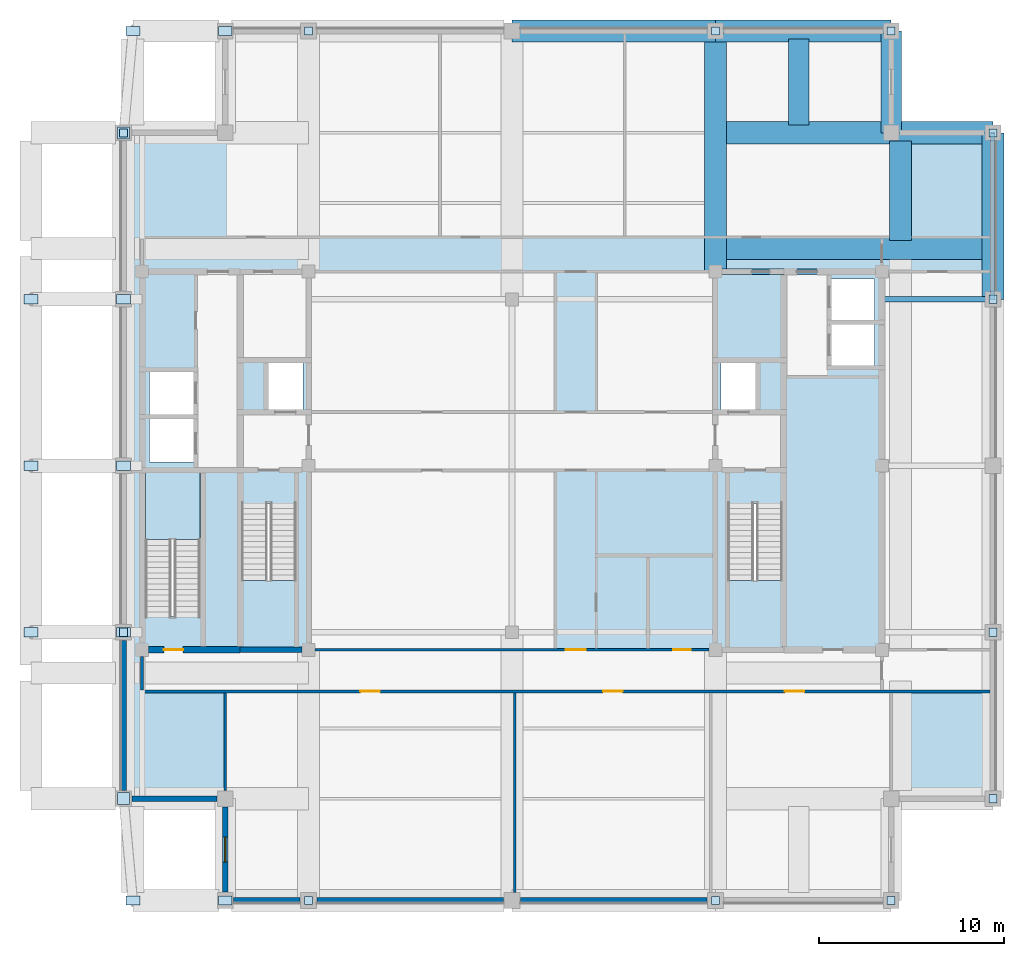
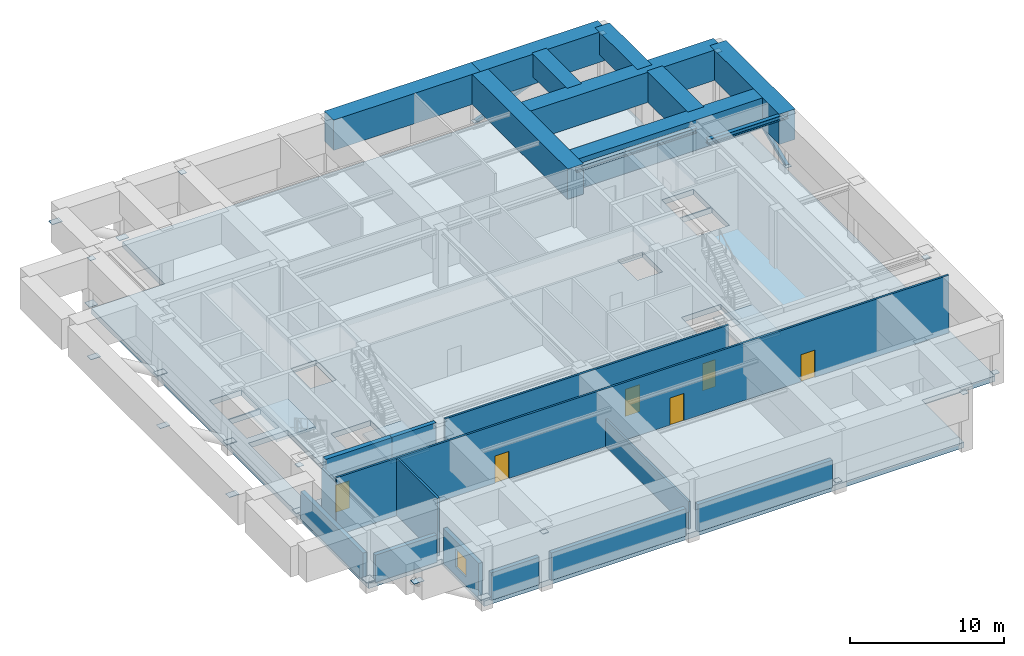
# One storey, part 2 of 11: 24 plates, 13 walls, 11 beams, 6 doors, 4 slabs, 2 members, 1 window, 7 openings, 3 elements without a shape of their own.
"""IFC4 building model written with IfcOpenShell, lengths in metres."""

from ifc_helpers import new_model, si_unit, direction, frame, frame_2d, origin, origin_2d, place, context, subcontext, project, spatial, polyline, rectangle, hollow_rectangle, i_section, outline, extrude, material, layer, layer_set, material_profile, profile_set, type_object, element, fill, aggregate, save


model = new_model("IFC4")

# Units and contexts
model_context = context("Model", 3, precision=1e-05, world=origin(), true_north=direction((0.0, 1.0)))
body_context = subcontext(model_context, "Body", "Model", "MODEL_VIEW")
ifc_project = project(units=[si_unit("LENGTHUNIT", "METRE"), si_unit("AREAUNIT", "SQUARE_METRE"), si_unit("VOLUMEUNIT", "CUBIC_METRE"), si_unit("PLANEANGLEUNIT", "RADIAN"), si_unit("MASSUNIT", "GRAM", prefix="KILO")], contexts=[model_context])

# Site, building, storey
site_placement = place(None, origin())
site = spatial("IfcSite", under=ifc_project, at=site_placement, CompositionType="ELEMENT")
building_placement = place(site_placement, origin())
building = spatial("IfcBuilding", under=site, at=building_placement, Name="Zulmaris Gate Convention Tower", CompositionType="ELEMENT")
storey_placement = place(building_placement, frame((0.0, 0.0, 249.429931640625)))
storey = spatial("IfcBuildingStorey", under=building, at=storey_placement, Name="L66", CompositionType="ELEMENT", Elevation=249.429931640625)

# Beams
ifc_material_1 = material(Name="Steel S355", Category="steel")
ifc_material_profile_1 = material_profile(ifc_material_1, i_section(OverallWidth=0.300048828125, OverallDepth=0.39990234375, WebThickness=0.013427734375, FlangeThickness=0.02392578125, FilletRadius=0.027099609375, at=origin_2d()), Name="HEB 400")
ifc_profile_set_1 = profile_set([ifc_material_profile_1], Name="Steel S355")
beam_type_1 = type_object("IfcBeamType", Name="BM-HEB400", PredefinedType="BEAM", material=ifc_profile_set_1)
beam_1_placement = place(storey_placement, frame((20.0, 9.0, 4.337890625), z_axis=(1.0, 0.0, 0.0), x_axis=(0.0, 1.0, 0.0)))
element("IfcBeam", 1, at=beam_1_placement, inside=storey, type_object=beam_type_1, Name="L66 Beam BM-L66-G21", PredefinedType="BEAM", context=body_context, shape_type="SweptSolid", body=[
    extrude(i_section(OverallWidth=0.300048828125, OverallDepth=0.39990234375, WebThickness=0.013427734375, FlangeThickness=0.02392578125, FilletRadius=0.027099609375, at=origin_2d()), origin(), (0.0, 0.0, 1.0), 6.0),
])
beam_2_placement = place(storey_placement, frame((11.0, 10.5, 4.373046875), z_axis=(1.0, 0.0, 0.0), x_axis=(0.0, 1.0, 0.0)))
element("IfcBeam", 2, at=beam_2_placement, inside=storey, type_object=beam_type_1, Name="L66 Beam BM-L66-G25", PredefinedType="BEAM", context=body_context, shape_type="SweptSolid", body=[
    extrude(i_section(OverallWidth=0.300048828125, OverallDepth=0.39990234375, WebThickness=0.013427734375, FlangeThickness=0.02392578125, FilletRadius=0.027099609375, at=origin_2d()), origin(), (0.0, 0.0, 1.0), 9.0),
])
ifc_material_2 = material(Name="Concrete C80/95", Category="concrete")
ifc_material_profile_2 = material_profile(ifc_material_2, rectangle(XDim=1.10009765625, YDim=1.800048828125, at=origin_2d()), Name="RC TRANSFER 1100x1800")
ifc_profile_set_2 = profile_set([ifc_material_profile_2], Name="Concrete C80/95")
beam_type_2 = type_object("IfcBeamType", Name="BM-XFER1800", PredefinedType="BEAM", material=ifc_profile_set_2)
beam_3_placement = place(storey_placement, frame((20.5, 18.0, 3.675048828125), z_axis=(0.0, 1.0, 0.0), x_axis=(-1.0, 0.0, 0.0)))
element("IfcBeam", 3, at=beam_3_placement, inside=storey, type_object=beam_type_2, Name="L66 Beam XFCOLV-L66-CXEN", PredefinedType="BEAM", context=body_context, shape_type="SweptSolid", body=[
    extrude(rectangle(XDim=1.10009765625, YDim=1.800048828125, at=origin_2d()), origin(), (0.0, 0.0, 1.0), 5.5),
])
beam_4_placement = place(storey_placement, frame((15.5, 18.43505859375, 3.675048828125), z_axis=(0.0, 1.0, 0.0), x_axis=(-1.0, 0.0, 0.0)))
element("IfcBeam", 4, at=beam_4_placement, inside=storey, type_object=beam_type_2, Name="L66 Beam XFNCH-L66-EC-+18.0", PredefinedType="BEAM", context=body_context, shape_type="SweptSolid", body=[
    extrude(rectangle(XDim=1.10009765625, YDim=1.800048828125, at=origin_2d()), origin(), (0.0, 0.0, 1.0), 4.6298828125),
])
ifc_material_profile_3 = material_profile(ifc_material_2, rectangle(XDim=1.199951171875, YDim=2.39990234375, at=origin_2d()), Name="RC TRANSFER 1200x2400")
ifc_profile_set_3 = profile_set([ifc_material_profile_3], Name="Concrete C80/95")
beam_type_3 = type_object("IfcBeamType", Name="BM-XFER2400", PredefinedType="BEAM", material=ifc_profile_set_3)
beam_5_placement = place(storey_placement, frame((26.0, 9.0, 3.375), z_axis=(0.0, 1.0, 0.0), x_axis=(-1.0, 0.0, 0.0)))
element("IfcBeam", 5, at=beam_5_placement, inside=storey, type_object=beam_type_3, Name="L66 Beam XFCOLV-L66-XEN", PredefinedType="BEAM", context=body_context, shape_type="SweptSolid", body=[
    extrude(rectangle(XDim=1.199951171875, YDim=2.39990234375, at=origin_2d()), origin(), (0.0, 0.0, 1.0), 9.0),
])
beam_6_placement = place(storey_placement, frame((11.0, 10.5, 3.375), z_axis=(0.0, 1.0, 0.0), x_axis=(-1.0, 0.0, 0.0)))
element("IfcBeam", 6, at=beam_6_placement, inside=storey, type_object=beam_type_3, Name="L66 Beam XFCOLV-L66-C11EN", PredefinedType="BEAM", context=body_context, shape_type="SweptSolid", body=[
    extrude(rectangle(XDim=1.199951171875, YDim=2.39990234375, at=origin_2d()), origin(), (0.0, 0.0, 1.0), 13.0),
])
for number, where, z_axis, x_axis, name in (
    (7, (11.0, 11.75, 3.375), (1.0, 0.0, 0.0), (0.0, 1.0, 0.0), "L66 Beam XFREC-L66-E-+11.75"),
    (8, (11.0, 18.0, 3.375), (1.0, 0.0, 0.0), (0.0, 1.0, 0.0), "L66 Beam XFREC-L66-E-+18.00"),
):
    element("IfcBeam", number, at=place(storey_placement, frame(where, z_axis=z_axis, x_axis=x_axis)), inside=storey, type_object=beam_type_3, Name=name, PredefinedType="BEAM", context=body_context, shape_type="SweptSolid", body=[
        extrude(rectangle(XDim=1.199951171875, YDim=2.39990234375, at=origin_2d()), origin(), (0.0, 0.0, 1.0), 15.0),
    ])
beam_7_placement = place(storey_placement, frame((21.0, 12.18505859375, 3.375), z_axis=(0.0, 1.0, 0.0), x_axis=(-1.0, 0.0, 0.0)))
element("IfcBeam", 9, at=beam_7_placement, inside=storey, type_object=beam_type_3, Name="L66 Beam XFEDG-L66-EN", PredefinedType="BEAM", context=body_context, shape_type="SweptSolid", body=[
    extrude(rectangle(XDim=1.199951171875, YDim=2.39990234375, at=origin_2d()), origin(), (0.0, 0.0, 1.0), 5.3798828125),
])
beam_8_placement = place(storey_placement, frame((11.0, 23.5, 3.375), z_axis=(1.0, 0.0, 0.0), x_axis=(0.0, 1.0, 0.0)))
element("IfcBeam", 10, at=beam_8_placement, inside=storey, type_object=beam_type_3, Name="L66 Beam XFREC-L66-EC-+23.5", PredefinedType="BEAM", context=body_context, shape_type="SweptSolid", body=[
    extrude(rectangle(XDim=1.199951171875, YDim=2.39990234375, at=origin_2d()), origin(), (0.0, 0.0, 1.0), 9.5),
])
beam_9_placement = place(storey_placement, frame((0.0, 23.5, 3.375), z_axis=(1.0, 0.0, 0.0), x_axis=(0.0, 1.0, 0.0)))
element("IfcBeam", 11, at=beam_9_placement, inside=storey, type_object=beam_type_3, Name="L66 Beam XFREC-L66-M2-+23.5", PredefinedType="BEAM", context=body_context, shape_type="SweptSolid", body=[
    extrude(rectangle(XDim=1.199951171875, YDim=2.39990234375, at=origin_2d()), origin(), (0.0, 0.0, 1.0), 11.0),
])

# Members
ifc_material_profile_4 = material_profile(ifc_material_1, hollow_rectangle(XDim=0.25, YDim=0.25, WallThickness=0.012451171875, at=origin_2d()), Name="SHS 250x250x12.5")
ifc_profile_set_4 = profile_set([ifc_material_profile_4], Name="Steel S355")
member_type = type_object("IfcMemberType", Name="BR-SHS250", PredefinedType="BRACE", material=ifc_profile_set_4)
member_1_placement = place(storey_placement, frame((26.0, 9.0, 0.300048828125), z_axis=(0.0, 0.926510390677, 0.376269180198), x_axis=(-1.0, 0.0, 0.0)))
element("IfcMember", 12, at=member_1_placement, inside=storey, type_object=member_type, Name="L66 Perimeter Tube Diagonal NE-E", PredefinedType="BRACE", context=body_context, shape_type="SweptSolid", body=[
    extrude(hollow_rectangle(XDim=0.25, YDim=0.25, WallThickness=0.012451171875, at=origin_2d()), origin(), (0.0, 0.0, 1.0), 9.7138671875),
])
member_2_placement = place(storey_placement, frame((11.0, 23.5, 0.300048828125), z_axis=(0.933306655897, 0.0, 0.359080333713), x_axis=(0.0, 1.0, 0.0)))
element("IfcMember", 13, at=member_2_placement, inside=storey, type_object=member_type, Name="L66 Perimeter Tube Diagonal NE-N", PredefinedType="BRACE", context=body_context, shape_type="SweptSolid", body=[
    extrude(hollow_rectangle(XDim=0.25, YDim=0.25, WallThickness=0.012451171875, at=origin_2d()), origin(), (0.0, 0.0, 1.0), 10.178955078125),
])

# Plates
ifc_material_3 = material(Name="Steel S460", Category="steel")
ifc_layer_1 = layer(ifc_material_3, 0.02490234375, Name="Steel S460")
ifc_layer_set_1 = layer_set([ifc_layer_1], Name="Steel S460")
plate_type_1 = type_object("IfcPlateType", Name="NP-CAP-440", PredefinedType="USERDEFINED", material=ifc_layer_set_1)
for number, where, z_axis, x_axis, name in (
    (14, (-21.0, -9.0, 3.942626953125), (0.0, 0.0, 1.0), (1.0, 0.0, 0.0), "L66 Steel Node Plate PBR-L66-SW-W-CAPB"),
    (15, (-21.0, 18.0, 3.942626953125), (0.0, 0.0, 1.0), (1.0, 0.0, 0.0), "L66 Steel Node Plate PBR-L66-NW-W-CAPB"),
    (16, (26.0, -18.0, 0.28759765625), (0.0, 0.0, 1.0), (1.0, 0.0, 0.0), "L66 Steel Node Plate PBR-L66-SE-E-CAP"),
    (17, (26.0, -9.0, 3.942626953125), (0.0, 0.0, 1.0), (1.0, 0.0, 0.0), "L66 Steel Node Plate PBR-L66-SE-E-CAPB"),
    (18, (26.0, 9.0, 0.28759765625), (0.0, 0.0, 1.0), (1.0, 0.0, 0.0), "L66 Steel Node Plate PBR-L66-NE-E-CAP"),
    (19, (26.0, 18.0, 3.942626953125), (0.0, 0.0, 1.0), (1.0, 0.0, 0.0), "L66 Steel Node Plate PBR-L66-NE-E-CAPB"),
    (20, (-11.0, -23.5, 3.942626953125), (0.0, 0.0, 1.0), (1.0, 0.0, 0.0), "L66 Steel Node Plate PBR-L66-SW-S-CAPB"),
    (21, (11.0, -23.5, 0.28759765625), (0.0, 0.0, 1.0), (1.0, 0.0, 0.0), "L66 Steel Node Plate PBR-L66-SE-S-CAP"),
    (22, (20.5, -23.5, 3.942626953125), (0.0, 0.0, 1.0), (1.0, 0.0, 0.0), "L66 Steel Node Plate PBR-L66-SE-S-CAPB"),
    (23, (-11.0, 23.5, 3.942626953125), (0.0, 0.0, 1.0), (1.0, 0.0, 0.0), "L66 Steel Node Plate PBR-L66-NW-N-CAPB"),
    (24, (11.0, 23.5, 0.28759765625), (0.0, 0.0, 1.0), (1.0, 0.0, 0.0), "L66 Steel Node Plate PBR-L66-NE-N-CAP"),
    (25, (20.5, 23.5, 3.942626953125), (0.0, 0.0, 1.0), (1.0, 0.0, 0.0), "L66 Steel Node Plate PBR-L66-NE-N-CAPB"),
):
    element("IfcPlate", number, at=place(storey_placement, frame(where, z_axis=z_axis, x_axis=x_axis)), inside=storey, type_object=plate_type_1, Name=name, ObjectType="FLANGE PLATE", PredefinedType="USERDEFINED", context=body_context, shape_type="SweptSolid", body=[
        extrude(rectangle(XDim=0.43994140625, YDim=0.43994140625, at=origin_2d()), origin(), (0.0, 0.0, 1.0), 0.02490234375),
    ])
ifc_layer_2 = layer(ifc_material_3, 0.034912109375, Name="Steel S460")
ifc_layer_set_2 = layer_set([ifc_layer_2], Name="Steel S460")
plate_type_2 = type_object("IfcPlateType", Name="NP-GUS-650", PredefinedType="USERDEFINED", material=ifc_layer_set_2)
for number, where, z_axis, x_axis, name in (
    (26, (-21.0, -18.0, 0.33251953125), (0.0, 0.0, 1.0), (1.0, 0.0, 0.0), "L66 Steel Node Plate RKR2-L66-WC--23.5-P0"),
    (27, (-21.0, 18.0, 0.33251953125), (0.0, 0.0, 1.0), (1.0, 0.0, 0.0), "L66 Steel Node Plate RKR2-L66-WC-+23.5-P0"),
):
    element("IfcPlate", number, at=place(storey_placement, frame(where, z_axis=z_axis, x_axis=x_axis)), inside=storey, type_object=plate_type_2, Name=name, ObjectType="GUSSET PLATE", PredefinedType="USERDEFINED", context=body_context, shape_type="SweptSolid", body=[
        extrude(rectangle(XDim=0.64990234375, YDim=0.64990234375, at=origin_2d()), origin(), (0.0, 0.0, 1.0), 0.034912109375),
    ])
ifc_layer_3 = layer(ifc_material_3, 0.034912109375, Name="Steel S460")
ifc_layer_set_3 = layer_set([ifc_layer_3], Name="Steel S460")
plate_type_3 = type_object("IfcPlateType", Name="NP-GUS-750", PredefinedType="USERDEFINED", material=ifc_layer_set_3)
for number, where, z_axis, x_axis, name in (
    (28, (-21.0, -9.0, 0.33251953125), (0.0, 0.0, 1.0), (1.0, 0.0, 0.0), "L66 Steel Node Plate RKR-L66-W--9.0-P0"),
    (29, (-26.0, -9.0, 3.357421875), (0.0, 0.0, 1.0), (1.0, 0.0, 0.0), "L66 Steel Node Plate RKR-L66-W--9.0-P1"),
    (30, (-21.0, 0.0, 0.33251953125), (0.0, 0.0, 1.0), (1.0, 0.0, 0.0), "L66 Steel Node Plate RKR-L66-W-+0.0-P0"),
    (31, (-26.0, 0.0, 3.357421875), (0.0, 0.0, 1.0), (1.0, 0.0, 0.0), "L66 Steel Node Plate RKR-L66-W-+0.0-P1"),
    (32, (-21.0, 9.0, 0.33251953125), (0.0, 0.0, 1.0), (1.0, 0.0, 0.0), "L66 Steel Node Plate RKR-L66-W-+9.0-P0"),
    (33, (-26.0, 9.0, 3.357421875), (0.0, 0.0, 1.0), (1.0, 0.0, 0.0), "L66 Steel Node Plate RKR-L66-W-+9.0-P1"),
    (34, (-15.5, -23.5, 0.33251953125), (0.0, 0.0, 1.0), (1.0, 0.0, 0.0), "L66 Steel Node Plate RKR-L66-WC--23.5-P0"),
    (35, (-20.5, -23.5, 3.357421875), (0.0, 0.0, 1.0), (1.0, 0.0, 0.0), "L66 Steel Node Plate RKR-L66-WC--23.5-P1"),
    (36, (-15.5, 23.5, 0.33251953125), (0.0, 0.0, 1.0), (1.0, 0.0, 0.0), "L66 Steel Node Plate RKR-L66-WC-+23.5-P0"),
    (37, (-20.5, 23.5, 3.357421875), (0.0, 0.0, 1.0), (1.0, 0.0, 0.0), "L66 Steel Node Plate RKR-L66-WC-+23.5-P1"),
):
    element("IfcPlate", number, at=place(storey_placement, frame(where, z_axis=z_axis, x_axis=x_axis)), inside=storey, type_object=plate_type_3, Name=name, ObjectType="GUSSET PLATE", PredefinedType="USERDEFINED", context=body_context, shape_type="SweptSolid", body=[
        extrude(rectangle(XDim=0.75, YDim=0.5, at=origin_2d()), origin(), (0.0, 0.0, 1.0), 0.034912109375),
    ])

# Slab
ifc_material_4 = material(Name="Concrete C60/75", Category="concrete")
ifc_layer_4 = layer(ifc_material_4, 0.425048828125, Name="Concrete C60/75")
ifc_layer_set_4 = layer_set([ifc_layer_4], Name="Concrete C60/75")
slab_type_1 = type_object("IfcSlabType", Name="SL-FLR-425", PredefinedType="FLOOR", material=ifc_layer_set_4)
slab_1_placement = place(storey_placement, frame((0.0, 0.0, -0.425048828125)))
element("IfcSlab", 38, at=slab_1_placement, inside=storey, type_object=slab_type_1, Name="L66 Shifted Notched-Square Structural Floor Slab", PredefinedType="FLOOR", context=body_context, shape_type="SweptSolid", body=[
    extrude(outline(polyline([(-15.5, -23.5), (20.5, -23.5), (20.5, -18.0), (26.0, -18.0), (26.0, 18.0), (20.5, 18.0), (20.5, 23.5), (-15.5, 23.5), (-15.5, 18.0), (-21.0, 18.0), (-21.0, -18.0), (-15.5, -18.0), (-15.5, -23.5)]), holes=[polyline([(-14.6201171875, -2.080078125), (-14.6201171875, -9.85009765625), (-11.659912109375, -9.85009765625), (-11.659912109375, -2.080078125), (-14.6201171875, -2.080078125)]), polyline([(11.659912109375, -2.080078125), (11.659912109375, -9.85009765625), (14.6201171875, -9.85009765625), (14.6201171875, -2.080078125), (11.659912109375, -2.080078125)]), polyline([(-16.860107421875, -8.1201171875), (-16.860107421875, -0.35009765625), (-19.820068359375, -0.35009765625), (-19.820068359375, -8.1201171875), (-16.860107421875, -8.1201171875)]), polyline([(-13.199951171875, 3.0), (-11.300048828125, 3.0), (-11.300048828125, 5.60009765625), (-13.199951171875, 5.60009765625), (-13.199951171875, 3.0)]), polyline([(11.300048828125, 3.0), (13.199951171875, 3.0), (13.199951171875, 5.60009765625), (11.300048828125, 5.60009765625), (11.300048828125, 3.0)]), polyline([(17.199951171875, 5.39990234375), (19.60009765625, 5.39990234375), (19.60009765625, 7.699951171875), (17.199951171875, 7.699951171875), (17.199951171875, 5.39990234375)]), polyline([(17.199951171875, 7.800048828125), (19.60009765625, 7.800048828125), (19.60009765625, 10.10009765625), (17.199951171875, 10.10009765625), (17.199951171875, 7.800048828125)]), polyline([(-19.60009765625, 0.199951171875), (-17.199951171875, 0.199951171875), (-17.199951171875, 2.60009765625), (-19.60009765625, 2.60009765625), (-19.60009765625, 0.199951171875)]), polyline([(-19.60009765625, 2.699951171875), (-17.199951171875, 2.699951171875), (-17.199951171875, 5.10009765625), (-19.60009765625, 5.10009765625), (-19.60009765625, 2.699951171875)])]), origin(), (0.0, 0.0, 1.0), 0.425048828125),
])

# Stair, slab
ifc_material_5 = material(Name="Concrete C45/55", Category="concrete")
stair_type = type_object("IfcStairType", Name="ST-CORE-DOGLEG", PredefinedType="HALF_TURN_STAIR", material=ifc_material_5)
stair_1_placement = place(storey_placement, origin())
stair_1 = element("IfcStair", 39, at=stair_1_placement, inside=storey, type_object=stair_type, Name="L66 Core Exit Stair ST-1", PredefinedType="HALF_TURN_STAIR")
ifc_layer_5 = layer(ifc_material_5, 0.199951171875, Name="Concrete C45/55")
ifc_layer_set_5 = layer_set([ifc_layer_5], Name="Concrete C45/55")
slab_type_2 = type_object("IfcSlabType", Name="SL-LND-200", PredefinedType="LANDING", material=ifc_layer_set_5)
slab_2_placement = place(storey_placement, frame((0.0, 0.0, 2.300048828125)))
slab_2 = element("IfcSlab", 40, at=slab_2_placement, type_object=slab_type_2, Name="ST-1 landing 1", PredefinedType="LANDING", context=body_context, shape_type="SweptSolid", body=[
    extrude(outline(polyline([(-14.6201171875, -6.199951171875), (-14.6201171875, -9.85009765625), (-11.659912109375, -9.85009765625), (-11.659912109375, -6.199951171875), (-14.6201171875, -6.199951171875)])), origin(), (0.0, 0.0, 1.0), 0.199951171875),
])
aggregate(stair_1, [slab_2])

stair_2_placement = place(storey_placement, origin())
stair_2 = element("IfcStair", 41, at=stair_2_placement, inside=storey, type_object=stair_type, Name="L66 Core Exit Stair ST-2", PredefinedType="HALF_TURN_STAIR")
slab_3_placement = place(storey_placement, frame((0.0, 0.0, 2.300048828125)))
slab_3 = element("IfcSlab", 42, at=slab_3_placement, type_object=slab_type_2, Name="ST-2 landing 1", PredefinedType="LANDING", context=body_context, shape_type="SweptSolid", body=[
    extrude(outline(polyline([(11.659912109375, -6.199951171875), (11.659912109375, -9.85009765625), (14.6201171875, -9.85009765625), (14.6201171875, -6.199951171875), (11.659912109375, -6.199951171875)])), origin(), (0.0, 0.0, 1.0), 0.199951171875),
])
aggregate(stair_2, [slab_3])

stair_3_placement = place(storey_placement, origin())
stair_3 = element("IfcStair", 43, at=stair_3_placement, inside=storey, type_object=stair_type, Name="L66 Core Exit Stair ST-3", PredefinedType="HALF_TURN_STAIR")
slab_4_placement = place(storey_placement, frame((0.0, 0.0, 2.300048828125)))
slab_4 = element("IfcSlab", 44, at=slab_4_placement, type_object=slab_type_2, Name="ST-3 landing 1", PredefinedType="LANDING", context=body_context, shape_type="SweptSolid", body=[
    extrude(outline(polyline([(-16.860107421875, -4.0), (-16.860107421875, -0.35009765625), (-19.820068359375, -0.35009765625), (-19.820068359375, -4.0), (-16.860107421875, -4.0)])), origin(), (0.0, 0.0, 1.0), 0.199951171875),
])
aggregate(stair_3, [slab_4])

# Wall
ifc_material_6 = material(Name="Concrete C50/60", Category="concrete")
ifc_layer_6 = layer(ifc_material_6, 0.300048828125, Name="Concrete C50/60")
ifc_layer_set_6 = layer_set([ifc_layer_6], Name="Concrete C50/60")
wall_type_1 = type_object("IfcWallType", Name="CORE-300", PredefinedType="SHEAR", material=ifc_layer_set_6)
wall_1_placement = place(storey_placement, frame((-14.699951171875, -9.949951171875, 0.0), z_axis=(0.0, 0.0, 1.0), x_axis=(1.0, 0.0, 0.0)))
element("IfcWall", 45, at=wall_1_placement, inside=storey, type_object=wall_type_1, Name="WL-L66-002", PredefinedType="SHEAR", context=body_context, shape_type="SweptSolid", body=[
    extrude(rectangle(XDim=3.345947265625, YDim=0.300048828125, at=frame_2d((1.6728515625, 0.0))), origin(), (0.0, 0.0, 1.0), 4.574951171875),
])

# Wall, opening, door
ifc_material_7 = material(Name="Concrete C55/67", Category="concrete")
ifc_layer_7 = layer(ifc_material_7, 0.35009765625, Name="Concrete C55/67")
ifc_layer_set_7 = layer_set([ifc_layer_7], Name="Concrete C55/67")
wall_type_2 = type_object("IfcWallType", Name="CORE-350", PredefinedType="SHEAR", material=ifc_layer_set_7)
wall_2_placement = place(storey_placement, frame((-19.64599609375, -9.949951171875, 0.0), z_axis=(0.0, 0.0, 1.0), x_axis=(1.0, 0.0, 0.0)))
wall_2 = element("IfcWall", 46, at=wall_2_placement, inside=storey, type_object=wall_type_2, Name="WL-L66-001", PredefinedType="SHEAR", context=body_context, shape_type="SweptSolid", body=[
    extrude(rectangle(XDim=4.946044921875, YDim=0.35009765625, at=frame_2d((2.47314453125, 0.0))), origin(), (0.0, 0.0, 1.0), 4.574951171875),
])
opening_1_placement = place(wall_2_placement, frame((0.821044921875, 0.0, 0.0)))
opening_1 = element("IfcOpeningElement", 47, at=opening_1_placement, cuts=wall_2, Name="Opening D-09", PredefinedType="OPENING", context=body_context, shape_type="SweptSolid", body=[
    extrude(rectangle(XDim=1.050048828125, YDim=2.14990234375, at=frame_2d((0.52490234375, 1.074951171875))), frame((0.0, 0.18505859375, 0.0), z_axis=(0.0, -1.0, 0.0), x_axis=(1.0, 0.0, 0.0)), (0.0, 0.0, 1.0), 0.3701171875),
])
ifc_material_8 = material(Name="Fire-Rated Steel", Category="steel")
door_type_1 = type_object("IfcDoorType", Name="DR-1050-FD", OperationType="NOTDEFINED", PredefinedType="DOOR", material=ifc_material_8)
door_1_placement = place(opening_1_placement, origin())
door_1 = element("IfcDoor", 48, at=door_1_placement, inside=storey, type_object=door_type_1, Name="L66 Exit Stair ST-3 Door 09", OperationType="SINGLE_SWING_LEFT", OverallHeight=2.14990234375, OverallWidth=1.050048828125, PredefinedType="DOOR", context=body_context, shape_type="SweptSolid", body=[
    extrude(rectangle(XDim=1.050048828125, YDim=2.14990234375, at=frame_2d((0.52490234375, 1.074951171875))), frame((0.0, 0.02490234375, 0.0), z_axis=(0.0, -1.0, 0.0), x_axis=(1.0, 0.0, 0.0)), (0.0, 0.0, 1.0), 0.050048828125),
])
fill(opening_1, door_1)

# Wall, openings, doors
ifc_material_9 = material(Name="Gypsum Metal Stud Partition")
ifc_layer_8 = layer(ifc_material_9, 0.14990234375, Name="Gypsum Metal Stud Partition")
ifc_layer_set_8 = layer_set([ifc_layer_8], Name="Gypsum Metal Stud Partition")
wall_type_3 = type_object("IfcWallType", Name="PART-150", PredefinedType="PARTITIONING", material=ifc_layer_set_8)
wall_3_placement = place(storey_placement, frame((-20.074951171875, -12.199951171875, 0.0), z_axis=(0.0, 0.0, 1.0), x_axis=(1.0, 0.0, 0.0)))
wall_3 = element("IfcWall", 49, at=wall_3_placement, inside=storey, type_object=wall_type_3, Name="WL-L66-019", PredefinedType="PARTITIONING", context=body_context, shape_type="SweptSolid", body=[
    extrude(rectangle(XDim=45.909912109375, YDim=0.14990234375, at=frame_2d((22.955078125, 0.0))), origin(), (0.0, 0.0, 1.0), 4.574951171875),
])
opening_2_placement = place(wall_3_placement, frame((11.8798828125, 0.0, 0.0)))
opening_2 = element("IfcOpeningElement", 50, at=opening_2_placement, cuts=wall_3, Name="Opening D-09", PredefinedType="OPENING", context=body_context, shape_type="SweptSolid", body=[
    extrude(rectangle(XDim=1.050048828125, YDim=2.14990234375, at=frame_2d((0.52490234375, 1.074951171875))), frame((0.0, 0.0849609375, 0.0), z_axis=(0.0, -1.0, 0.0), x_axis=(1.0, 0.0, 0.0)), (0.0, 0.0, 1.0), 0.169921875),
])
opening_3_placement = place(wall_3_placement, frame((25.0, 0.0, 0.0)))
opening_3 = element("IfcOpeningElement", 51, at=opening_3_placement, cuts=wall_3, Name="Opening D-09", PredefinedType="OPENING", context=body_context, shape_type="SweptSolid", body=[
    extrude(rectangle(XDim=1.050048828125, YDim=2.14990234375, at=frame_2d((0.52490234375, 1.074951171875))), frame((0.0, 0.0849609375, 0.0), z_axis=(0.0, -1.0, 0.0), x_axis=(1.0, 0.0, 0.0)), (0.0, 0.0, 1.0), 0.169921875),
])
opening_4_placement = place(wall_3_placement, frame((34.830078125, 0.0, 0.0)))
opening_4 = element("IfcOpeningElement", 52, at=opening_4_placement, cuts=wall_3, Name="Opening D-09", PredefinedType="OPENING", context=body_context, shape_type="SweptSolid", body=[
    extrude(rectangle(XDim=1.050048828125, YDim=2.14990234375, at=frame_2d((0.52490234375, 1.074951171875))), frame((0.0, 0.0849609375, 0.0), z_axis=(0.0, -1.0, 0.0), x_axis=(1.0, 0.0, 0.0)), (0.0, 0.0, 1.0), 0.169921875),
])
door_2_placement = place(opening_2_placement, origin())
door_2 = element("IfcDoor", 53, at=door_2_placement, inside=storey, type_object=door_type_1, Name="L66 Executive Boardroom Door 25", OperationType="SINGLE_SWING_LEFT", OverallHeight=2.14990234375, OverallWidth=1.050048828125, PredefinedType="DOOR", context=body_context, shape_type="SweptSolid", body=[
    extrude(rectangle(XDim=1.050048828125, YDim=2.14990234375, at=frame_2d((0.52490234375, 1.074951171875))), frame((0.0, 0.02490234375, 0.0), z_axis=(0.0, -1.0, 0.0), x_axis=(1.0, 0.0, 0.0)), (0.0, 0.0, 1.0), 0.050048828125),
])
fill(opening_2, door_2)
door_3_placement = place(opening_3_placement, origin())
door_3 = element("IfcDoor", 54, at=door_3_placement, inside=storey, type_object=door_type_1, Name="L66 Corporate Strategy Office Door 26", OperationType="SINGLE_SWING_RIGHT", OverallHeight=2.14990234375, OverallWidth=1.050048828125, PredefinedType="DOOR", context=body_context, shape_type="SweptSolid", body=[
    extrude(rectangle(XDim=1.050048828125, YDim=2.14990234375, at=frame_2d((0.52490234375, 1.074951171875))), frame((0.0, 0.02490234375, 0.0), z_axis=(0.0, -1.0, 0.0), x_axis=(1.0, 0.0, 0.0)), (0.0, 0.0, 1.0), 0.050048828125),
])
fill(opening_3, door_3)
door_4_placement = place(opening_4_placement, origin())
door_4 = element("IfcDoor", 55, at=door_4_placement, inside=storey, type_object=door_type_1, Name="L66 Project Advisory Studio Door 27", OperationType="SINGLE_SWING_LEFT", OverallHeight=2.14990234375, OverallWidth=1.050048828125, PredefinedType="DOOR", context=body_context, shape_type="SweptSolid", body=[
    extrude(rectangle(XDim=1.050048828125, YDim=2.14990234375, at=frame_2d((0.52490234375, 1.074951171875))), frame((0.0, 0.02490234375, 0.0), z_axis=(0.0, -1.0, 0.0), x_axis=(1.0, 0.0, 0.0)), (0.0, 0.0, 1.0), 0.050048828125),
])
fill(opening_4, door_4)

wall_4_placement = place(storey_placement, frame((-10.64404296875, -9.949951171875, 0.0), z_axis=(0.0, 0.0, 1.0), x_axis=(1.0, 0.0, 0.0)))
wall_4 = element("IfcWall", 56, at=wall_4_placement, inside=storey, type_object=wall_type_3, Name="WL-L66-020", PredefinedType="PARTITIONING", context=body_context, shape_type="SweptSolid", body=[
    extrude(rectangle(XDim=21.2880859375, YDim=0.14990234375, at=frame_2d((10.64404296875, 0.0))), origin(), (0.0, 0.0, 1.0), 4.574951171875),
])
opening_5_placement = place(wall_4_placement, frame((13.5439453125, 0.0, 0.0)))
opening_5 = element("IfcOpeningElement", 57, at=opening_5_placement, cuts=wall_4, Name="Opening D-08", PredefinedType="OPENING", context=body_context, shape_type="SweptSolid", body=[
    extrude(rectangle(XDim=1.10009765625, YDim=2.14990234375, at=frame_2d((0.550048828125, 1.074951171875))), frame((0.0, 0.0849609375, 0.0), z_axis=(0.0, -1.0, 0.0), x_axis=(1.0, 0.0, 0.0)), (0.0, 0.0, 1.0), 0.169921875),
])
opening_6_placement = place(wall_4_placement, frame((19.34912109375, 0.0, 0.0)))
opening_6 = element("IfcOpeningElement", 58, at=opening_6_placement, cuts=wall_4, Name="Opening D-11", PredefinedType="OPENING", context=body_context, shape_type="SweptSolid", body=[
    extrude(rectangle(XDim=0.949951171875, YDim=2.14990234375, at=frame_2d((0.47509765625, 1.074951171875))), frame((0.0, 0.0849609375, 0.0), z_axis=(0.0, -1.0, 0.0), x_axis=(1.0, 0.0, 0.0)), (0.0, 0.0, 1.0), 0.169921875),
])
door_type_2 = type_object("IfcDoorType", Name="DR-1100-FD", OperationType="NOTDEFINED", PredefinedType="DOOR", material=ifc_material_8)
door_5_placement = place(opening_5_placement, origin())
door_5 = element("IfcDoor", 59, at=door_5_placement, inside=storey, type_object=door_type_2, Name="L66 Exec South Link Door 19", OperationType="SINGLE_SWING_LEFT", OverallHeight=2.14990234375, OverallWidth=1.10009765625, PredefinedType="DOOR", context=body_context, shape_type="SweptSolid", body=[
    extrude(rectangle(XDim=1.10009765625, YDim=2.14990234375, at=frame_2d((0.550048828125, 1.074951171875))), frame((0.0, 0.02490234375, 0.0), z_axis=(0.0, -1.0, 0.0), x_axis=(1.0, 0.0, 0.0)), (0.0, 0.0, 1.0), 0.050048828125),
])
fill(opening_5, door_5)
ifc_material_10 = material(Name="Fire-Rated Timber", Category="wood")
door_type_3 = type_object("IfcDoorType", Name="DR-950-FD", OperationType="NOTDEFINED", PredefinedType="DOOR", material=ifc_material_10)
door_6_placement = place(opening_6_placement, origin())
door_6 = element("IfcDoor", 60, at=door_6_placement, inside=storey, type_object=door_type_3, Name="L66 Vault Store Door 33", OperationType="SINGLE_SWING_LEFT", OverallHeight=2.14990234375, OverallWidth=0.949951171875, PredefinedType="DOOR", context=body_context, shape_type="SweptSolid", body=[
    extrude(rectangle(XDim=0.949951171875, YDim=2.14990234375, at=frame_2d((0.47509765625, 1.074951171875))), frame((0.0, 0.02490234375, 0.0), z_axis=(0.0, -1.0, 0.0), x_axis=(1.0, 0.0, 0.0)), (0.0, 0.0, 1.0), 0.050048828125),
])
fill(opening_6, door_6)

# Walls
wall_5_placement = place(storey_placement, frame((-20.0, -12.1220703125, 0.0), z_axis=(0.0, 0.0, 1.0), x_axis=(0.0, 1.0, 0.0)))
element("IfcWall", 61, at=wall_5_placement, inside=storey, type_object=wall_type_3, Name="WL-L66-061", PredefinedType="PARTITIONING", context=body_context, shape_type="SweptSolid", body=[
    extrude(rectangle(XDim=1.816162109375, YDim=0.14990234375, at=frame_2d((0.908203125, 0.0))), origin(), (0.0, 0.0, 1.0), 4.1650390625),
])
wall_6_placement = place(storey_placement, frame((-15.5, -17.569091796875, 0.0), z_axis=(0.0, 0.0, 1.0), x_axis=(0.0, 1.0, 0.0)))
element("IfcWall", 62, at=wall_6_placement, inside=storey, type_object=wall_type_3, Name="WL-L66-064", PredefinedType="PARTITIONING", context=body_context, shape_type="SweptSolid", body=[
    extrude(rectangle(XDim=5.291015625, YDim=0.14990234375, at=frame_2d((2.6455078125, 0.0))), origin(), (0.0, 0.0, 1.0), 4.574951171875),
])
wall_7_placement = place(storey_placement, frame((0.14990234375, -23.069091796875, 0.0), z_axis=(0.0, 0.0, 1.0), x_axis=(0.0, 1.0, 0.0)))
element("IfcWall", 63, at=wall_7_placement, inside=storey, type_object=wall_type_3, Name="WL-L66-066", PredefinedType="PARTITIONING", context=body_context, shape_type="SweptSolid", body=[
    extrude(rectangle(XDim=10.791015625, YDim=0.14990234375, at=frame_2d((5.3955078125, 0.0))), origin(), (0.0, 0.0, 1.0), 2.1669921875),
])
ifc_material_11 = material(Name="Precast concrete C40/50", Category="concrete")
ifc_layer_9 = layer(ifc_material_11, 0.300048828125, Name="Precast concrete C40/50")
ifc_layer_set_9 = layer_set([ifc_layer_9], Name="Precast concrete C40/50")
wall_type_4 = type_object("IfcWallType", Name="PRECAST-PIER-300", PredefinedType="STANDARD", material=ifc_layer_set_9)
wall_8_placement = place(storey_placement, frame((-20.544921875, -18.0, 0.0), z_axis=(0.0, 0.0, 1.0), x_axis=(1.0, 0.0, 0.0)))
element("IfcWall", 64, at=wall_8_placement, inside=storey, type_object=wall_type_4, Name="EW-L66-NOTCH-SW1_0", PredefinedType="STANDARD", context=body_context, shape_type="SweptSolid", body=[
    extrude(rectangle(XDim=4.58984375, YDim=0.300048828125, at=frame_2d((2.294921875, 0.0))), origin(), (0.0, 0.0, 1.0), 2.1669921875),
])

# Wall, opening, window
wall_9_placement = place(storey_placement, frame((-15.5, -18.455078125, 0.0), z_axis=(0.0, 0.0, 1.0), x_axis=(0.0, -1.0, 0.0)))
wall_9 = element("IfcWall", 65, at=wall_9_placement, inside=storey, type_object=wall_type_4, Name="EW-L66-NOTCH-SW2_0", PredefinedType="STANDARD", context=body_context, shape_type="SweptSolid", body=[
    extrude(rectangle(XDim=4.58984375, YDim=0.300048828125, at=frame_2d((2.294921875, 0.0))), origin(), (0.0, 0.0, 1.0), 2.76708984375),
])
opening_7_placement = place(wall_9_placement, frame((1.6201171875, 0.0, 0.679931640625)))
opening_7 = element("IfcOpeningElement", 66, at=opening_7_placement, cuts=wall_9, Name="Opening W-10", PredefinedType="OPENING", context=body_context, shape_type="SweptSolid", body=[
    extrude(rectangle(XDim=1.35009765625, YDim=1.419921875, at=frame_2d((0.675048828125, 0.7099609375))), frame((0.0, 0.16015625, 0.0), z_axis=(0.0, -1.0, 0.0), x_axis=(1.0, 0.0, 0.0)), (0.0, 0.0, 1.0), 0.320068359375),
])
ifc_material_12 = material(Name="Low-E Laminated Double Glazing in Aluminium Frame", Category="aluminium")
window_type = type_object("IfcWindowType", Name="WIN-1350x2000", PartitioningType="SINGLE_PANEL", PredefinedType="WINDOW", material=ifc_material_12)
window_placement = place(opening_7_placement, origin())
window = element("IfcWindow", 67, at=window_placement, inside=storey, type_object=window_type, Name="WN-EW-L66-NOTCH-SW2_0", OverallHeight=1.419921875, OverallWidth=1.35009765625, PartitioningType="SINGLE_PANEL", PredefinedType="WINDOW", context=body_context, shape_type="SweptSolid", body=[
    extrude(rectangle(XDim=1.35009765625, YDim=1.419921875, at=frame_2d((0.675048828125, 0.7099609375))), frame((0.0, 0.030029296875, 0.0), z_axis=(0.0, -1.0, 0.0), x_axis=(1.0, 0.0, 0.0)), (0.0, 0.0, 1.0), 0.06005859375),
])
fill(opening_7, window)

# Walls
wall_10_placement = place(storey_placement, frame((-15.044921875, -23.5, 0.0), z_axis=(0.0, 0.0, 1.0), x_axis=(1.0, 0.0, 0.0)))
element("IfcWall", 68, at=wall_10_placement, inside=storey, type_object=wall_type_4, Name="EW-L66-S-0_0", PredefinedType="STANDARD", context=body_context, shape_type="SweptSolid", body=[
    extrude(rectangle(XDim=3.58984375, YDim=0.300048828125, at=frame_2d((1.794921875, 0.0))), origin(), (0.0, 0.0, 1.0), 2.1669921875),
])
for number, where, z_axis, x_axis, name in (
    (69, (-10.544921875, -23.5, 0.0), (0.0, 0.0, 1.0), (1.0, 0.0, 0.0), "EW-L66-S-1_0"),
    (70, (0.455078125, -23.5, 0.0), (0.0, 0.0, 1.0), (1.0, 0.0, 0.0), "EW-L66-S-2_0"),
):
    element("IfcWall", number, at=place(storey_placement, frame(where, z_axis=z_axis, x_axis=x_axis)), inside=storey, type_object=wall_type_4, Name=name, PredefinedType="STANDARD", context=body_context, shape_type="SweptSolid", body=[
        extrude(rectangle(XDim=10.08984375, YDim=0.300048828125, at=frame_2d((5.044921875, 0.0))), origin(), (0.0, 0.0, 1.0), 2.1669921875),
    ])
wall_11_placement = place(storey_placement, frame((-21.0, -9.455078125, 0.0), z_axis=(0.0, 0.0, 1.0), x_axis=(0.0, -1.0, 0.0)))
element("IfcWall", 71, at=wall_11_placement, inside=storey, type_object=wall_type_4, Name="EW-L66-W-0_0", PredefinedType="STANDARD", context=body_context, shape_type="SweptSolid", body=[
    extrude(rectangle(XDim=8.08984375, YDim=0.300048828125, at=frame_2d((4.044921875, 0.0))), origin(), (0.0, 0.0, 1.0), 2.1669921875),
])

save(model, "model.ifc")
